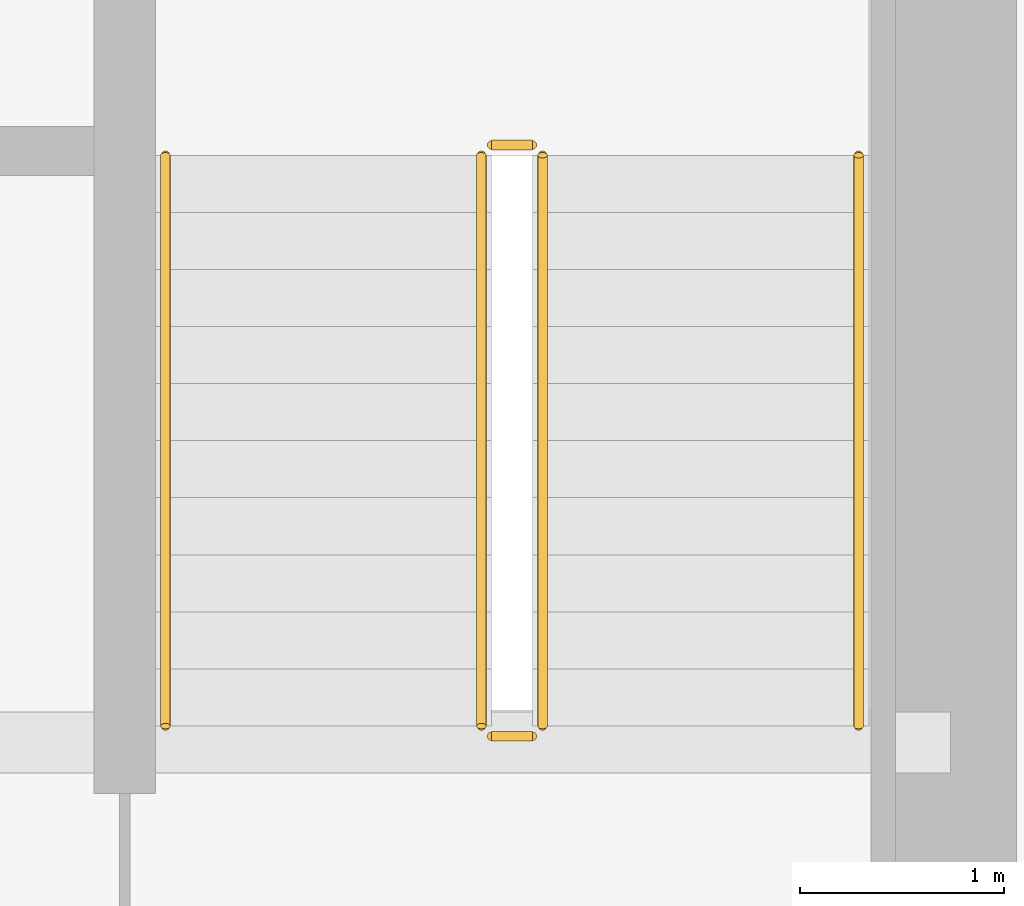
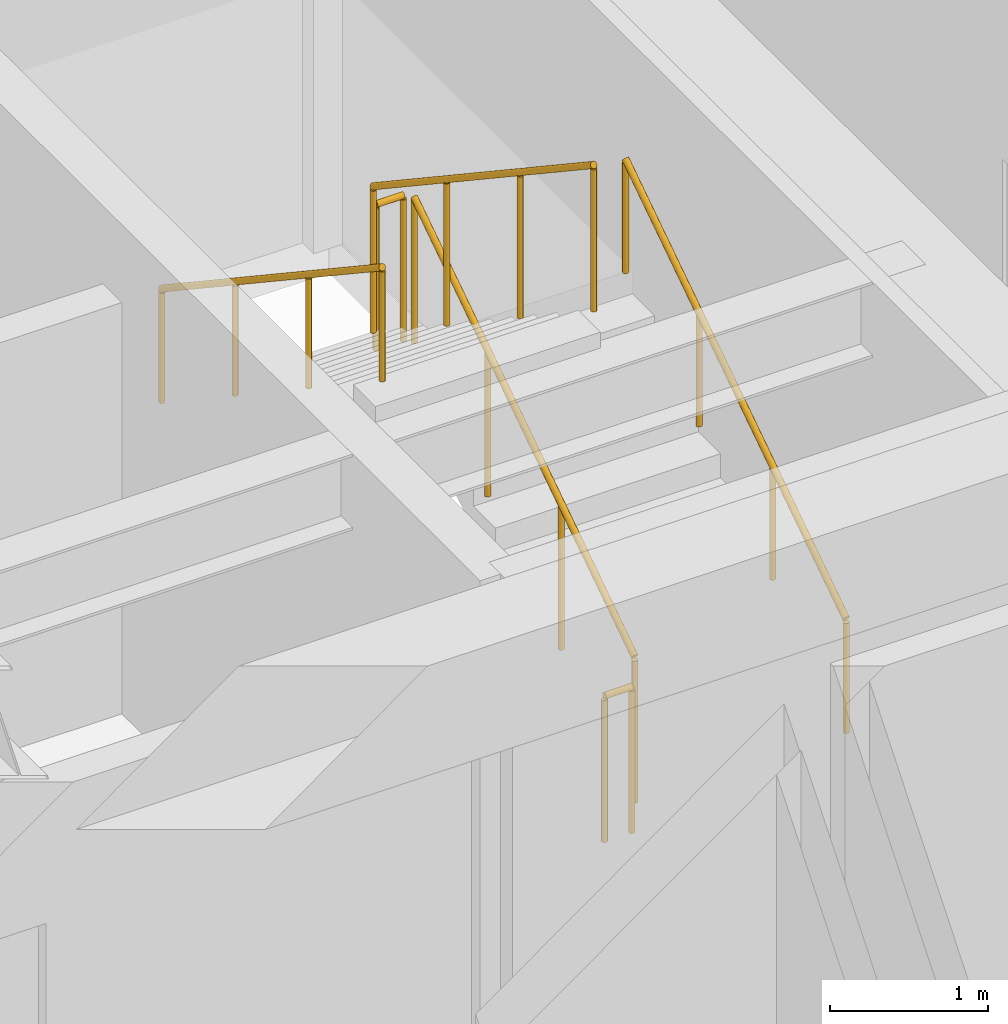
# One storey, part 30 of 30: 6 railings.
"""IFC4 building model written with IfcOpenShell, lengths in metres."""

from ifc_helpers import new_model, si_unit, direction, frame, origin, origin_2d, place, context, subcontext, project, spatial, circle, extrude, source, transform, mapped, material, type_object, type_shapes, element, save


model = new_model("IFC4")

# Units and contexts
model_context = context("Model", 3, precision=1e-05, world=origin(), true_north=direction((0.0, 1.0)))
body_context = subcontext(model_context, "Body", "Model", "MODEL_VIEW")
ifc_project = project(units=[si_unit("LENGTHUNIT", "METRE"), si_unit("AREAUNIT", "SQUARE_METRE"), si_unit("VOLUMEUNIT", "CUBIC_METRE"), si_unit("PLANEANGLEUNIT", "RADIAN"), si_unit("MASSUNIT", "GRAM", prefix="KILO")], contexts=[model_context])

# Site, building, storey
site_placement = place(None, origin())
site = spatial("IfcSite", under=ifc_project, at=site_placement, CompositionType="ELEMENT")
building_placement = place(site_placement, origin())
building = spatial("IfcBuilding", under=site, at=building_placement, Name="Haelvirn Gate Laboratories", CompositionType="ELEMENT")
storey_placement = place(building_placement, frame((0.0, 0.0, 187.10009765625)))
storey = spatial("IfcBuildingStorey", under=building, at=storey_placement, Name="L45", CompositionType="ELEMENT", Elevation=187.10009765625)

# Railings
ifc_material_1 = material(Name="Galvanised steel SM355 & stainless top rail", Category="steel")
railing_type_1 = type_object("IfcRailingType", Name="RL-GUARD-1150", PredefinedType="GUARDRAIL", material=ifc_material_1)
shared_shape_1 = source(origin(), body_context, "Body", "SweptSolid", [
    extrude(circle(Radius=0.02392578125, at=origin_2d()), frame((0.0, 0.0, 1.1259765625), z_axis=(0.0, 0.832485552168, 0.554046753832), x_axis=(-1.0, 0.0, 0.0)), (0.0, 0.0, 1.0), 3.363525390625),
    extrude(circle(Radius=0.02099609375, at=origin_2d()), origin(), (0.0, 0.0, 1.0), 1.101806640625),
    extrude(circle(Radius=0.02099609375, at=origin_2d()), frame((0.0, 0.933349609375, 0.62109375)), (0.0, 0.0, 1.0), 1.101806640625),
    extrude(circle(Radius=0.02099609375, at=origin_2d()), frame((0.0, 1.86669921875, 1.242431640625)), (0.0, 0.0, 1.0), 1.101806640625),
    extrude(circle(Radius=0.02099609375, at=origin_2d()), frame((0.0, 2.800048828125, 1.863525390625)), (0.0, 0.0, 1.0), 1.101806640625),
])
railing_1_placement = place(storey_placement, frame((65.39990234375, 26.699951171875, 0.186279296875)))
element("IfcRailing", 1, at=railing_1_placement, inside=storey, type_object=railing_type_1, Name="L45 ST2 stair guard 1", PredefinedType="GUARDRAIL", context=body_context, shape_type="MappedRepresentation", body=[
    mapped(shared_shape_1, transform((0.0, 0.0, 0.0), scale=1.0)),
])
ifc_material_2 = material(Name="Brushed stainless steel 316L", Category="steel")
railing_type_2 = type_object("IfcRailingType", Name="RL-HAND-920", PredefinedType="HANDRAIL", material=ifc_material_2)
shared_shape_2 = source(origin(), body_context, "Body", "SweptSolid", [
    extrude(circle(Radius=0.02392578125, at=origin_2d()), frame((0.0, 0.0, 0.8759765625), z_axis=(0.0, 0.832485552168, 0.554046753832), x_axis=(-1.0, 0.0, 0.0)), (0.0, 0.0, 1.0), 3.363525390625),
    extrude(circle(Radius=0.02099609375, at=origin_2d()), origin(), (0.0, 0.0, 1.0), 0.851806640625),
    extrude(circle(Radius=0.02099609375, at=origin_2d()), frame((0.0, 0.933349609375, 0.62109375)), (0.0, 0.0, 1.0), 0.851806640625),
    extrude(circle(Radius=0.02099609375, at=origin_2d()), frame((0.0, 1.86669921875, 1.242431640625)), (0.0, 0.0, 1.0), 0.851806640625),
    extrude(circle(Radius=0.02099609375, at=origin_2d()), frame((0.0, 2.800048828125, 1.863525390625)), (0.0, 0.0, 1.0), 0.851806640625),
])
railing_2_placement = place(storey_placement, frame((66.949951171875, 26.699951171875, 0.186279296875)))
element("IfcRailing", 2, at=railing_2_placement, inside=storey, type_object=railing_type_2, Name="L45 ST2 stair handrail 1", PredefinedType="HANDRAIL", context=body_context, shape_type="MappedRepresentation", body=[
    mapped(shared_shape_2, transform((0.0, 0.0, 0.0), scale=1.0)),
])
shared_shape_3 = source(origin(), body_context, "Body", "SweptSolid", [
    extrude(circle(Radius=0.02392578125, at=origin_2d()), frame((0.0, 0.0, 1.1259765625), z_axis=(0.0, -0.832485552168, 0.554046753832), x_axis=(1.0, 0.0, 0.0)), (0.0, 0.0, 1.0), 3.363525390625),
    extrude(circle(Radius=0.02099609375, at=origin_2d()), origin(), (0.0, 0.0, 1.0), 1.101806640625),
    extrude(circle(Radius=0.02099609375, at=origin_2d()), frame((0.0, -0.933349609375, 0.62109375)), (0.0, 0.0, 1.0), 1.101806640625),
    extrude(circle(Radius=0.02099609375, at=origin_2d()), frame((0.0, -1.86669921875, 1.242431640625)), (0.0, 0.0, 1.0), 1.101806640625),
    extrude(circle(Radius=0.02099609375, at=origin_2d()), frame((0.0, -2.800048828125, 1.863525390625)), (0.0, 0.0, 1.0), 1.101806640625),
])
railing_3_placement = place(storey_placement, frame((65.10009765625, 29.5, 2.236328125)))
element("IfcRailing", 3, at=railing_3_placement, inside=storey, type_object=railing_type_1, Name="L45 ST2 stair guard 3", PredefinedType="GUARDRAIL", context=body_context, shape_type="MappedRepresentation", body=[
    mapped(shared_shape_3, transform((0.0, 0.0, 0.0), scale=1.0)),
])
shared_shape_4 = source(origin(), body_context, "Body", "SweptSolid", [
    extrude(circle(Radius=0.02392578125, at=origin_2d()), frame((0.0, 0.0, 0.8759765625), z_axis=(0.0, -0.832485552168, 0.554046753832), x_axis=(1.0, 0.0, 0.0)), (0.0, 0.0, 1.0), 3.363525390625),
    extrude(circle(Radius=0.02099609375, at=origin_2d()), origin(), (0.0, 0.0, 1.0), 0.851806640625),
    extrude(circle(Radius=0.02099609375, at=origin_2d()), frame((0.0, -0.933349609375, 0.62109375)), (0.0, 0.0, 1.0), 0.851806640625),
    extrude(circle(Radius=0.02099609375, at=origin_2d()), frame((0.0, -1.86669921875, 1.242431640625)), (0.0, 0.0, 1.0), 0.851806640625),
    extrude(circle(Radius=0.02099609375, at=origin_2d()), frame((0.0, -2.800048828125, 1.863525390625)), (0.0, 0.0, 1.0), 0.851806640625),
])
type_shapes(railing_type_2, [shared_shape_2, shared_shape_4])
railing_4_placement = place(storey_placement, frame((63.550048828125, 29.5, 2.236328125)))
element("IfcRailing", 4, at=railing_4_placement, inside=storey, type_object=railing_type_2, Name="L45 ST2 stair handrail 2", PredefinedType="HANDRAIL", context=body_context, shape_type="MappedRepresentation", body=[
    mapped(shared_shape_4, transform((0.0, 0.0, 0.0), scale=1.0)),
])
shared_shape_5 = source(origin(), body_context, "Body", "SweptSolid", [
    extrude(circle(Radius=0.02392578125, at=origin_2d()), frame((0.0, 0.0, 1.1259765625), z_axis=(-1.0, 0.0, 0.0), x_axis=(0.0, -1.0, 0.0)), (0.0, 0.0, 1.0), 0.2001953125),
    extrude(circle(Radius=0.02099609375, at=origin_2d()), origin(), (0.0, 0.0, 1.0), 1.101806640625),
    extrude(circle(Radius=0.02099609375, at=origin_2d()), frame((-0.2001953125, 0.0, 0.0)), (0.0, 0.0, 1.0), 1.101806640625),
])
type_shapes(railing_type_1, [shared_shape_1, shared_shape_3, shared_shape_5])
for number, where, name in (
    (5, (65.35009765625, 29.550048828125, 2.0498046875), "L45 ST2 stair guard 2"),
    (6, (65.35009765625, 26.64990234375, 0.0), "L45 ST2 stair guard 4"),
):
    element("IfcRailing", number, at=place(storey_placement, frame(where)), inside=storey, type_object=railing_type_1, Name=name, PredefinedType="GUARDRAIL", context=body_context, shape_type="MappedRepresentation", body=[
        mapped(shared_shape_5, transform((0.0, 0.0, 0.0), scale=1.0)),
    ])

save(model, "model.ifc")
